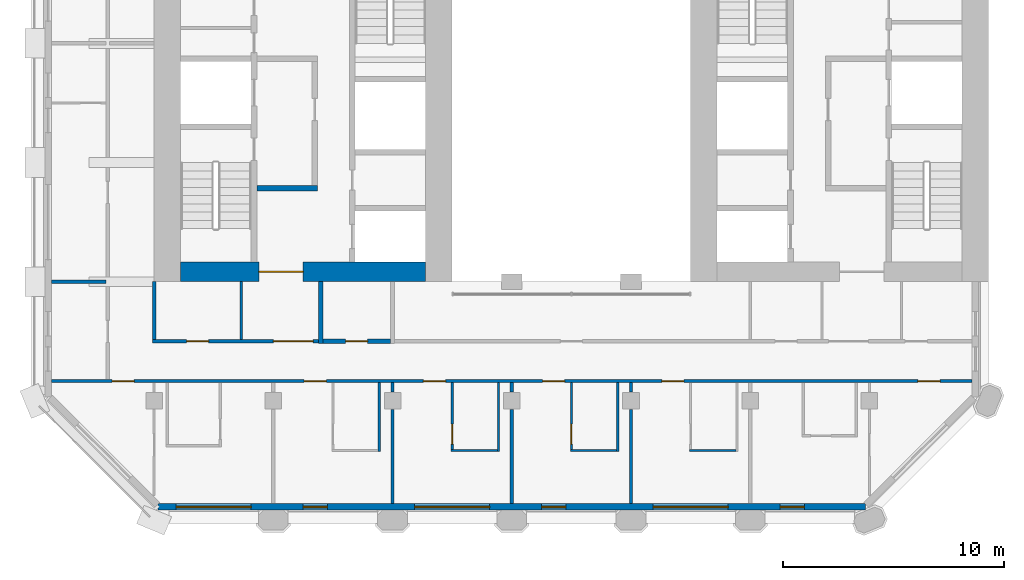
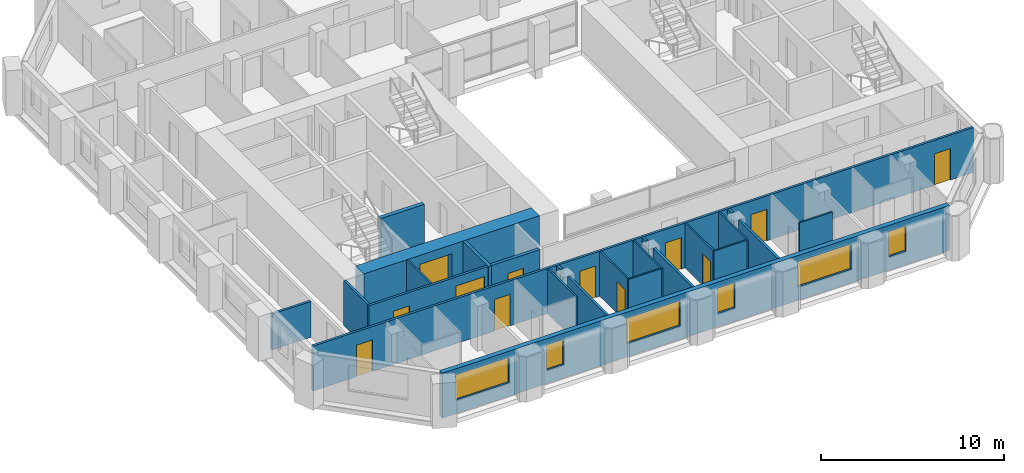
# One storey, part 6 of 14: 24 walls, 12 doors, 6 windows, 18 openings.
"""IFC4 building model written with IfcOpenShell, lengths in metres."""

from ifc_helpers import new_model, si_unit, direction, frame, frame_2d, origin, place, context, subcontext, project, spatial, rectangle, extrude, material, layer, layer_set, type_object, element, fill, save


model = new_model("IFC4")

# Units and contexts
model_context = context("Model", 3, precision=1e-05, world=origin(), true_north=direction((0.0, 1.0)))
body_context = subcontext(model_context, "Body", "Model", "MODEL_VIEW")
ifc_project = project(units=[si_unit("LENGTHUNIT", "METRE"), si_unit("AREAUNIT", "SQUARE_METRE"), si_unit("VOLUMEUNIT", "CUBIC_METRE"), si_unit("PLANEANGLEUNIT", "RADIAN"), si_unit("MASSUNIT", "GRAM", prefix="KILO")], contexts=[model_context])

# Site, building, storey
site_placement = place(None, origin())
site = spatial("IfcSite", under=ifc_project, at=site_placement, CompositionType="ELEMENT")
building_placement = place(site_placement, origin())
building = spatial("IfcBuilding", under=site, at=building_placement, Name="Tabaq Tower and Sports Hall", CompositionType="ELEMENT")
storey_placement = place(building_placement, frame((0.0, 0.0, 213.699951171875)))
storey = spatial("IfcBuildingStorey", under=building, at=storey_placement, Name="L53", CompositionType="ELEMENT", Elevation=213.699951171875)

# Wall, opening, door
ifc_material_1 = material(Name="Concrete C50/60", Category="concrete")
ifc_layer_1 = layer(ifc_material_1, 0.89990234375)
ifc_layer_set_1 = layer_set([ifc_layer_1], Name="Core wall 900 Concrete C50/60")
wall_type_1 = type_object("IfcWallType", Name="Core wall 900 Concrete C50/60", PredefinedType="SOLIDWALL", material=ifc_layer_set_1)
wall_1_placement = place(storey_placement, frame((17.699951171875, 16.64990234375, 0.0), z_axis=(0.0, 0.0, 1.0), x_axis=(-1.0, 0.0, 0.0)))
wall_1 = element("IfcWall", 1, at=wall_1_placement, inside=storey, type_object=wall_type_1, Name="Core wall W L53", PredefinedType="SOLIDWALL", context=body_context, shape_type="SweptSolid", body=[
    extrude(rectangle(XDim=11.099853515625, YDim=0.89990234375, at=frame_2d((5.5498046875, 0.0))), origin(), (0.0, 0.0, 1.0), 3.0),
])
opening_1_placement = place(wall_1_placement, frame((5.550048828125, 0.0, 0.0)))
opening_1 = element("IfcOpeningElement", 2, at=opening_1_placement, cuts=wall_1, Name="Opening PD-WL53-01", PredefinedType="OPENING", context=body_context, shape_type="SweptSolid", body=[
    extrude(rectangle(XDim=2.0, YDim=2.39990234375, at=frame_2d((1.0, 1.199951171875))), frame((0.0, 0.449951171875, 0.0), z_axis=(0.0, -1.0, 0.0), x_axis=(1.0, 0.0, 0.0)), (0.0, 0.0, 1.0), 0.89990234375),
])
ifc_material_2 = material(Name="Steel fire door", Category="steel")
door_type_1 = type_object("IfcDoorType", Name="Core entrance door 2000", OperationType="DOUBLE_DOOR_SINGLE_SWING", PredefinedType="DOOR", material=ifc_material_2)
door_1_placement = place(opening_1_placement, origin())
door_1 = element("IfcDoor", 3, at=door_1_placement, inside=storey, type_object=door_type_1, Name="Core entrance south W L53", OperationType="DOUBLE_DOOR_SINGLE_SWING", OverallHeight=2.39990234375, OverallWidth=2.0, PredefinedType="DOOR", context=body_context, shape_type="SweptSolid", body=[
    extrude(rectangle(XDim=2.0, YDim=2.39990234375, at=frame_2d((1.0, 1.199951171875))), frame((0.0, 0.02490234375, 0.0), z_axis=(0.0, -1.0, 0.0), x_axis=(1.0, 0.0, 0.0)), (0.0, 0.0, 1.0), 0.050048828125),
])
fill(opening_1, door_1)

# Wall
ifc_material_3 = material(Name="Blockwork", Category="masonry")
ifc_layer_2 = layer(ifc_material_3, 0.199951171875)
ifc_layer_set_2 = layer_set([ifc_layer_2], Name="Fire compartment wall 200 Blockwork")
wall_type_2 = type_object("IfcWallType", Name="Fire compartment wall 200 Blockwork", PredefinedType="PARTITIONING", material=ifc_layer_set_2)
wall_2_placement = place(storey_placement, frame((12.949951171875, 13.39990234375, 0.0), z_axis=(0.0, 0.0, 1.0), x_axis=(0.0, 1.0, 0.0)))
element("IfcWall", 4, at=wall_2_placement, inside=storey, type_object=wall_type_2, Name="Compartment wall L53", PredefinedType="PARTITIONING", context=body_context, shape_type="SweptSolid", body=[
    extrude(rectangle(XDim=2.800048828125, YDim=0.199951171875, at=frame_2d((1.39990234375, 0.0))), origin(), (0.0, 0.0, 1.0), 3.0),
])

# Wall, opening, door
wall_3_placement = place(storey_placement, frame((16.10009765625, 13.5, 0.0), z_axis=(0.0, 0.0, 1.0), x_axis=(-1.0, 0.0, 0.0)))
wall_3 = element("IfcWall", 5, at=wall_3_placement, inside=storey, type_object=wall_type_2, Name="Compartment wall L53", PredefinedType="PARTITIONING", context=body_context, shape_type="SweptSolid", body=[
    extrude(rectangle(XDim=3.050048828125, YDim=0.199951171875, at=frame_2d((1.52490234375, 0.0))), origin(), (0.0, 0.0, 1.0), 3.0),
])
opening_2_placement = place(wall_3_placement, frame((1.02490234375, 0.0, 0.0)))
opening_2 = element("IfcOpeningElement", 6, at=opening_2_placement, cuts=wall_3, Name="Opening L53-024", PredefinedType="OPENING", context=body_context, shape_type="SweptSolid", body=[
    extrude(rectangle(XDim=1.0, YDim=2.10009765625, at=frame_2d((0.5, 1.050048828125))), frame((0.0, 0.10009765625, 0.0), z_axis=(0.0, -1.0, 0.0), x_axis=(1.0, 0.0, 0.0)), (0.0, 0.0, 1.0), 0.199951171875),
])
ifc_material_4 = material(Name="Steel fire door", Category="steel")
door_type_2 = type_object("IfcDoorType", Name="Riser door 1000 right hand", OperationType="SINGLE_SWING_RIGHT", PredefinedType="DOOR", material=ifc_material_4)
door_2_placement = place(opening_2_placement, origin())
door_2 = element("IfcDoor", 7, at=door_2_placement, inside=storey, type_object=door_type_2, Name="Riser door L53-024", OperationType="SINGLE_SWING_RIGHT", OverallHeight=2.10009765625, OverallWidth=1.0, PredefinedType="DOOR", context=body_context, shape_type="SweptSolid", body=[
    extrude(rectangle(XDim=1.0, YDim=2.10009765625, at=frame_2d((0.5, 1.050048828125))), frame((0.0, 0.02490234375, 0.0), z_axis=(0.0, -1.0, 0.0), x_axis=(1.0, 0.0, 0.0)), (0.0, 0.0, 1.0), 0.050048828125),
])
fill(opening_2, door_2)

# Walls
ifc_material_5 = material(Name="Gypsum board on steel studs", Category="steel")
ifc_layer_3 = layer(ifc_material_5, 0.10009765625)
ifc_layer_set_3 = layer_set([ifc_layer_3], Name="Partition 100 Gypsum board")
wall_type_3 = type_object("IfcWallType", Name="Partition 100 Gypsum board", PredefinedType="PARTITIONING", material=ifc_layer_set_3)
wall_4_placement = place(storey_placement, frame((31.75, 8.550048828125, 0.0), z_axis=(0.0, 0.0, 1.0), x_axis=(-1.0, 0.0, 0.0)))
element("IfcWall", 8, at=wall_4_placement, inside=storey, type_object=wall_type_3, Name="Partition wall L53", PredefinedType="PARTITIONING", context=body_context, shape_type="SweptSolid", body=[
    extrude(rectangle(XDim=2.10009765625, YDim=0.10009765625, at=frame_2d((1.050048828125, 0.0))), origin(), (0.0, 0.0, 1.0), 3.0),
])
wall_5_placement = place(storey_placement, frame((26.39990234375, 11.625, 0.0), z_axis=(0.0, 0.0, 1.0), x_axis=(0.0, -1.0, 0.0)))
element("IfcWall", 9, at=wall_5_placement, inside=storey, type_object=wall_type_3, Name="Partition wall L53", PredefinedType="PARTITIONING", context=body_context, shape_type="SweptSolid", body=[
    extrude(rectangle(XDim=3.125, YDim=0.10009765625, at=frame_2d((1.5625, 0.0))), origin(), (0.0, 0.0, 1.0), 3.0),
])
wall_6_placement = place(storey_placement, frame((26.35009765625, 8.550048828125, 0.0), z_axis=(0.0, 0.0, 1.0), x_axis=(-1.0, 0.0, 0.0)))
element("IfcWall", 10, at=wall_6_placement, inside=storey, type_object=wall_type_3, Name="Partition wall L53", PredefinedType="PARTITIONING", context=body_context, shape_type="SweptSolid", body=[
    extrude(rectangle(XDim=2.10009765625, YDim=0.10009765625, at=frame_2d((1.050048828125, 0.0))), origin(), (0.0, 0.0, 1.0), 3.0),
])

# Wall, opening, door
wall_7_placement = place(storey_placement, frame((24.300048828125, 8.60009765625, 0.0), z_axis=(0.0, 0.0, 1.0), x_axis=(0.0, 1.0, 0.0)))
wall_7 = element("IfcWall", 11, at=wall_7_placement, inside=storey, type_object=wall_type_3, Name="Partition wall L53", PredefinedType="PARTITIONING", context=body_context, shape_type="SweptSolid", body=[
    extrude(rectangle(XDim=3.02490234375, YDim=0.10009765625, at=frame_2d((1.512451171875, 0.0))), origin(), (0.0, 0.0, 1.0), 3.0),
])
opening_3_placement = place(wall_7_placement, frame((0.25, 0.0, 0.0)))
opening_3 = element("IfcOpeningElement", 12, at=opening_3_placement, cuts=wall_7, Name="Opening L53-017", PredefinedType="OPENING", context=body_context, shape_type="SweptSolid", body=[
    extrude(rectangle(XDim=0.89990234375, YDim=2.10009765625, at=frame_2d((0.449951171875, 1.050048828125))), frame((0.0, 0.050048828125, 0.0), z_axis=(0.0, -1.0, 0.0), x_axis=(1.0, 0.0, 0.0)), (0.0, 0.0, 1.0), 0.10009765625),
])
ifc_material_6 = material(Name="Timber leaf in steel frame", Category="steel")
door_type_3 = type_object("IfcDoorType", Name="Internal door 900 left hand", OperationType="SINGLE_SWING_LEFT", PredefinedType="DOOR", material=ifc_material_6)
door_3_placement = place(opening_3_placement, origin())
door_3 = element("IfcDoor", 13, at=door_3_placement, inside=storey, type_object=door_type_3, Name="Internal door L53-017", OperationType="SINGLE_SWING_LEFT", OverallHeight=2.10009765625, OverallWidth=0.89990234375, PredefinedType="DOOR", context=body_context, shape_type="SweptSolid", body=[
    extrude(rectangle(XDim=0.89990234375, YDim=2.10009765625, at=frame_2d((0.449951171875, 1.050048828125))), frame((0.0, 0.02490234375, 0.0), z_axis=(0.0, -1.0, 0.0), x_axis=(1.0, 0.0, 0.0)), (0.0, 0.0, 1.0), 0.050048828125),
])
fill(opening_3, door_3)

# Walls
wall_8_placement = place(storey_placement, frame((21.0, 11.625, 0.0), z_axis=(0.0, 0.0, 1.0), x_axis=(0.0, -1.0, 0.0)))
element("IfcWall", 14, at=wall_8_placement, inside=storey, type_object=wall_type_3, Name="Partition wall L53", PredefinedType="PARTITIONING", context=body_context, shape_type="SweptSolid", body=[
    extrude(rectangle(XDim=3.125, YDim=0.10009765625, at=frame_2d((1.5625, 0.0))), origin(), (0.0, 0.0, 1.0), 3.0),
])
wall_9_placement = place(storey_placement, frame((20.949951171875, 8.550048828125, 0.0), z_axis=(0.0, 0.0, 1.0), x_axis=(-1.0, 0.0, 0.0)))
element("IfcWall", 15, at=wall_9_placement, inside=storey, type_object=wall_type_3, Name="Partition wall L53", PredefinedType="PARTITIONING", context=body_context, shape_type="SweptSolid", body=[
    extrude(rectangle(XDim=2.099853515625, YDim=0.10009765625, at=frame_2d((1.0498046875, 0.0))), origin(), (0.0, 0.0, 1.0), 3.0),
])

# Wall, opening, door
wall_10_placement = place(storey_placement, frame((18.89990234375, 8.60009765625, 0.0), z_axis=(0.0, 0.0, 1.0), x_axis=(0.0, 1.0, 0.0)))
wall_10 = element("IfcWall", 16, at=wall_10_placement, inside=storey, type_object=wall_type_3, Name="Partition wall L53", PredefinedType="PARTITIONING", context=body_context, shape_type="SweptSolid", body=[
    extrude(rectangle(XDim=3.02490234375, YDim=0.10009765625, at=frame_2d((1.512451171875, 0.0))), origin(), (0.0, 0.0, 1.0), 3.0),
])
opening_4_placement = place(wall_10_placement, frame((0.25, 0.0, 0.0)))
opening_4 = element("IfcOpeningElement", 17, at=opening_4_placement, cuts=wall_10, Name="Opening L53-018", PredefinedType="OPENING", context=body_context, shape_type="SweptSolid", body=[
    extrude(rectangle(XDim=0.89990234375, YDim=2.10009765625, at=frame_2d((0.449951171875, 1.050048828125))), frame((0.0, 0.050048828125, 0.0), z_axis=(0.0, -1.0, 0.0), x_axis=(1.0, 0.0, 0.0)), (0.0, 0.0, 1.0), 0.10009765625),
])
door_4_placement = place(opening_4_placement, origin())
door_4 = element("IfcDoor", 18, at=door_4_placement, inside=storey, type_object=door_type_3, Name="Internal door L53-018", OperationType="SINGLE_SWING_LEFT", OverallHeight=2.10009765625, OverallWidth=0.89990234375, PredefinedType="DOOR", context=body_context, shape_type="SweptSolid", body=[
    extrude(rectangle(XDim=0.89990234375, YDim=2.10009765625, at=frame_2d((0.449951171875, 1.050048828125))), frame((0.0, 0.02490234375, 0.0), z_axis=(0.0, -1.0, 0.0), x_axis=(1.0, 0.0, 0.0)), (0.0, 0.0, 1.0), 0.050048828125),
])
fill(opening_4, door_4)

# Walls
wall_11_placement = place(storey_placement, frame((15.60009765625, 11.625, 0.0), z_axis=(0.0, 0.0, 1.0), x_axis=(0.0, -1.0, 0.0)))
element("IfcWall", 19, at=wall_11_placement, inside=storey, type_object=wall_type_3, Name="Partition wall L53", PredefinedType="PARTITIONING", context=body_context, shape_type="SweptSolid", body=[
    extrude(rectangle(XDim=3.125, YDim=0.10009765625, at=frame_2d((1.5625, 0.0))), origin(), (0.0, 0.0, 1.0), 3.0),
])
wall_12_placement = place(storey_placement, frame((9.35009765625, 16.199951171875, 0.0), z_axis=(0.0, 0.0, 1.0), x_axis=(0.0, -1.0, 0.0)))
element("IfcWall", 20, at=wall_12_placement, inside=storey, type_object=wall_type_3, Name="Partition wall L53", PredefinedType="PARTITIONING", context=body_context, shape_type="SweptSolid", body=[
    extrude(rectangle(XDim=2.625, YDim=0.10009765625, at=frame_2d((1.3125, 0.0))), origin(), (0.0, 0.0, 1.0), 3.0),
])
ifc_material_7 = material(Name="Blockwork", Category="masonry")
ifc_layer_4 = layer(ifc_material_7, 0.14990234375)
ifc_layer_set_4 = layer_set([ifc_layer_4], Name="Separating wall 150 Blockwork")
wall_type_4 = type_object("IfcWallType", Name="Separating wall 150 Blockwork", PredefinedType="PARTITIONING", material=ifc_layer_set_4)
wall_13_placement = place(storey_placement, frame((3.22509765625, 16.199951171875, 0.0), z_axis=(0.0, 0.0, 1.0), x_axis=(-1.0, 0.0, 0.0)))
element("IfcWall", 21, at=wall_13_placement, inside=storey, type_object=wall_type_4, Name="Separating wall L53", PredefinedType="PARTITIONING", context=body_context, shape_type="SweptSolid", body=[
    extrude(rectangle(XDim=2.47412109375, YDim=0.14990234375, at=frame_2d((1.237060546875, 0.0))), origin(), (0.0, 0.0, 1.0), 2.400146484375),
])
wall_14_placement = place(storey_placement, frame((27.0, 11.625, 0.0), z_axis=(0.0, 0.0, 1.0), x_axis=(0.0, -1.0, 0.0)))
element("IfcWall", 22, at=wall_14_placement, inside=storey, type_object=wall_type_4, Name="Separating wall L53", PredefinedType="PARTITIONING", context=body_context, shape_type="SweptSolid", body=[
    extrude(rectangle(XDim=0.429931640625, YDim=0.14990234375, at=frame_2d((0.21484375, 0.0))), origin(), (0.0, 0.0, 1.0), 3.0),
])
wall_15_placement = place(storey_placement, frame((27.0, 10.405029296875, 0.0), z_axis=(0.0, 0.0, 1.0), x_axis=(0.0, -1.0, 0.0)))
element("IfcWall", 23, at=wall_15_placement, inside=storey, type_object=wall_type_4, Name="Separating wall L53", PredefinedType="PARTITIONING", context=body_context, shape_type="SweptSolid", body=[
    extrude(rectangle(XDim=4.254150390625, YDim=0.14990234375, at=frame_2d((2.126953125, 0.0))), origin(), (0.0, 0.0, 1.0), 3.0),
])
wall_16_placement = place(storey_placement, frame((21.60009765625, 11.625, 0.0), z_axis=(0.0, 0.0, 1.0), x_axis=(0.0, -1.0, 0.0)))
element("IfcWall", 24, at=wall_16_placement, inside=storey, type_object=wall_type_4, Name="Separating wall L53", PredefinedType="PARTITIONING", context=body_context, shape_type="SweptSolid", body=[
    extrude(rectangle(XDim=0.429931640625, YDim=0.14990234375, at=frame_2d((0.21484375, 0.0))), origin(), (0.0, 0.0, 1.0), 3.0),
])
wall_17_placement = place(storey_placement, frame((21.60009765625, 10.405029296875, 0.0), z_axis=(0.0, 0.0, 1.0), x_axis=(0.0, -1.0, 0.0)))
element("IfcWall", 25, at=wall_17_placement, inside=storey, type_object=wall_type_4, Name="Separating wall L53", PredefinedType="PARTITIONING", context=body_context, shape_type="SweptSolid", body=[
    extrude(rectangle(XDim=4.254150390625, YDim=0.14990234375, at=frame_2d((2.126953125, 0.0))), origin(), (0.0, 0.0, 1.0), 3.0),
])
wall_18_placement = place(storey_placement, frame((16.199951171875, 11.625, 0.0), z_axis=(0.0, 0.0, 1.0), x_axis=(0.0, -1.0, 0.0)))
element("IfcWall", 26, at=wall_18_placement, inside=storey, type_object=wall_type_4, Name="Separating wall L53", PredefinedType="PARTITIONING", context=body_context, shape_type="SweptSolid", body=[
    extrude(rectangle(XDim=0.429931640625, YDim=0.14990234375, at=frame_2d((0.21484375, 0.0))), origin(), (0.0, 0.0, 1.0), 3.0),
])
wall_19_placement = place(storey_placement, frame((16.199951171875, 10.405029296875, 0.0), z_axis=(0.0, 0.0, 1.0), x_axis=(0.0, -1.0, 0.0)))
element("IfcWall", 27, at=wall_19_placement, inside=storey, type_object=wall_type_4, Name="Separating wall L53", PredefinedType="PARTITIONING", context=body_context, shape_type="SweptSolid", body=[
    extrude(rectangle(XDim=4.254150390625, YDim=0.14990234375, at=frame_2d((2.126953125, 0.0))), origin(), (0.0, 0.0, 1.0), 3.0),
])

# Wall, openings, doors
wall_20_placement = place(storey_placement, frame((0.7509765625, 11.699951171875, 0.0), z_axis=(0.0, 0.0, 1.0), x_axis=(1.0, 0.0, 0.0)))
wall_20 = element("IfcWall", 28, at=wall_20_placement, inside=storey, type_object=wall_type_4, Name="Separating wall L53", PredefinedType="PARTITIONING", context=body_context, shape_type="SweptSolid", body=[
    extrude(rectangle(XDim=41.697998046875, YDim=0.14990234375, at=frame_2d((20.84912109375, 0.0))), origin(), (0.0, 0.0, 1.0), 3.0),
])
opening_5_placement = place(wall_20_placement, frame((39.2490234375, 0.0, 0.0)))
opening_5 = element("IfcOpeningElement", 29, at=opening_5_placement, cuts=wall_20, Name="Opening L53-039", PredefinedType="OPENING", context=body_context, shape_type="SweptSolid", body=[
    extrude(rectangle(XDim=1.0, YDim=2.10009765625, at=frame_2d((0.5, 1.050048828125))), frame((0.0, 0.074951171875, 0.0), z_axis=(0.0, -1.0, 0.0), x_axis=(1.0, 0.0, 0.0)), (0.0, 0.0, 1.0), 0.14990234375),
])
opening_6_placement = place(wall_20_placement, frame((27.64892578125, 0.0, 0.0)))
opening_6 = element("IfcOpeningElement", 30, at=opening_6_placement, cuts=wall_20, Name="Opening L53-040", PredefinedType="OPENING", context=body_context, shape_type="SweptSolid", body=[
    extrude(rectangle(XDim=1.0, YDim=2.10009765625, at=frame_2d((0.5, 1.050048828125))), frame((0.0, 0.074951171875, 0.0), z_axis=(0.0, -1.0, 0.0), x_axis=(1.0, 0.0, 0.0)), (0.0, 0.0, 1.0), 0.14990234375),
])
opening_7_placement = place(wall_20_placement, frame((22.2490234375, 0.0, 0.0)))
opening_7 = element("IfcOpeningElement", 31, at=opening_7_placement, cuts=wall_20, Name="Opening L53-041", PredefinedType="OPENING", context=body_context, shape_type="SweptSolid", body=[
    extrude(rectangle(XDim=1.0, YDim=2.10009765625, at=frame_2d((0.5, 1.050048828125))), frame((0.0, 0.074951171875, 0.0), z_axis=(0.0, -1.0, 0.0), x_axis=(1.0, 0.0, 0.0)), (0.0, 0.0, 1.0), 0.14990234375),
])
opening_8_placement = place(wall_20_placement, frame((16.84912109375, 0.0, 0.0)))
opening_8 = element("IfcOpeningElement", 32, at=opening_8_placement, cuts=wall_20, Name="Opening L53-042", PredefinedType="OPENING", context=body_context, shape_type="SweptSolid", body=[
    extrude(rectangle(XDim=1.0, YDim=2.10009765625, at=frame_2d((0.5, 1.050048828125))), frame((0.0, 0.074951171875, 0.0), z_axis=(0.0, -1.0, 0.0), x_axis=(1.0, 0.0, 0.0)), (0.0, 0.0, 1.0), 0.14990234375),
])
opening_9_placement = place(wall_20_placement, frame((11.448974609375, 0.0, 0.0)))
opening_9 = element("IfcOpeningElement", 33, at=opening_9_placement, cuts=wall_20, Name="Opening L53-043", PredefinedType="OPENING", context=body_context, shape_type="SweptSolid", body=[
    extrude(rectangle(XDim=1.0, YDim=2.10009765625, at=frame_2d((0.5, 1.050048828125))), frame((0.0, 0.074951171875, 0.0), z_axis=(0.0, -1.0, 0.0), x_axis=(1.0, 0.0, 0.0)), (0.0, 0.0, 1.0), 0.14990234375),
])
opening_10_placement = place(wall_20_placement, frame((2.743896484375, 0.0, 0.0)))
opening_10 = element("IfcOpeningElement", 34, at=opening_10_placement, cuts=wall_20, Name="Opening L53-045", PredefinedType="OPENING", context=body_context, shape_type="SweptSolid", body=[
    extrude(rectangle(XDim=1.0, YDim=2.10009765625, at=frame_2d((0.5, 1.050048828125))), frame((0.0, 0.074951171875, 0.0), z_axis=(0.0, -1.0, 0.0), x_axis=(1.0, 0.0, 0.0)), (0.0, 0.0, 1.0), 0.14990234375),
])
ifc_material_8 = material(Name="Steel fire door", Category="steel")
door_type_4 = type_object("IfcDoorType", Name="Entrance door 1000 left hand", OperationType="SINGLE_SWING_LEFT", PredefinedType="DOOR", material=ifc_material_8)
door_5_placement = place(opening_5_placement, origin())
door_5 = element("IfcDoor", 35, at=door_5_placement, inside=storey, type_object=door_type_4, Name="Entrance door L53-039", OperationType="SINGLE_SWING_LEFT", OverallHeight=2.10009765625, OverallWidth=1.0, PredefinedType="DOOR", context=body_context, shape_type="SweptSolid", body=[
    extrude(rectangle(XDim=1.0, YDim=2.10009765625, at=frame_2d((0.5, 1.050048828125))), frame((0.0, 0.02490234375, 0.0), z_axis=(0.0, -1.0, 0.0), x_axis=(1.0, 0.0, 0.0)), (0.0, 0.0, 1.0), 0.050048828125),
])
fill(opening_5, door_5)
door_6_placement = place(opening_6_placement, origin())
door_6 = element("IfcDoor", 36, at=door_6_placement, inside=storey, type_object=door_type_4, Name="Entrance door L53-040", OperationType="SINGLE_SWING_LEFT", OverallHeight=2.10009765625, OverallWidth=1.0, PredefinedType="DOOR", context=body_context, shape_type="SweptSolid", body=[
    extrude(rectangle(XDim=1.0, YDim=2.10009765625, at=frame_2d((0.5, 1.050048828125))), frame((0.0, 0.02490234375, 0.0), z_axis=(0.0, -1.0, 0.0), x_axis=(1.0, 0.0, 0.0)), (0.0, 0.0, 1.0), 0.050048828125),
])
fill(opening_6, door_6)
door_7_placement = place(opening_7_placement, origin())
door_7 = element("IfcDoor", 37, at=door_7_placement, inside=storey, type_object=door_type_4, Name="Entrance door L53-041", OperationType="SINGLE_SWING_LEFT", OverallHeight=2.10009765625, OverallWidth=1.0, PredefinedType="DOOR", context=body_context, shape_type="SweptSolid", body=[
    extrude(rectangle(XDim=1.0, YDim=2.10009765625, at=frame_2d((0.5, 1.050048828125))), frame((0.0, 0.02490234375, 0.0), z_axis=(0.0, -1.0, 0.0), x_axis=(1.0, 0.0, 0.0)), (0.0, 0.0, 1.0), 0.050048828125),
])
fill(opening_7, door_7)
ifc_material_9 = material(Name="Steel fire door", Category="steel")
door_type_5 = type_object("IfcDoorType", Name="Entrance door 1000 right hand", OperationType="SINGLE_SWING_RIGHT", PredefinedType="DOOR", material=ifc_material_9)
door_8_placement = place(opening_8_placement, origin())
door_8 = element("IfcDoor", 38, at=door_8_placement, inside=storey, type_object=door_type_5, Name="Entrance door L53-042", OperationType="SINGLE_SWING_RIGHT", OverallHeight=2.10009765625, OverallWidth=1.0, PredefinedType="DOOR", context=body_context, shape_type="SweptSolid", body=[
    extrude(rectangle(XDim=1.0, YDim=2.10009765625, at=frame_2d((0.5, 1.050048828125))), frame((0.0, 0.02490234375, 0.0), z_axis=(0.0, -1.0, 0.0), x_axis=(1.0, 0.0, 0.0)), (0.0, 0.0, 1.0), 0.050048828125),
])
fill(opening_8, door_8)
door_9_placement = place(opening_9_placement, origin())
door_9 = element("IfcDoor", 39, at=door_9_placement, inside=storey, type_object=door_type_5, Name="Entrance door L53-043", OperationType="SINGLE_SWING_RIGHT", OverallHeight=2.10009765625, OverallWidth=1.0, PredefinedType="DOOR", context=body_context, shape_type="SweptSolid", body=[
    extrude(rectangle(XDim=1.0, YDim=2.10009765625, at=frame_2d((0.5, 1.050048828125))), frame((0.0, 0.02490234375, 0.0), z_axis=(0.0, -1.0, 0.0), x_axis=(1.0, 0.0, 0.0)), (0.0, 0.0, 1.0), 0.050048828125),
])
fill(opening_9, door_9)
door_10_placement = place(opening_10_placement, origin())
door_10 = element("IfcDoor", 40, at=door_10_placement, inside=storey, type_object=door_type_5, Name="Entrance door L53-045", OperationType="SINGLE_SWING_RIGHT", OverallHeight=2.10009765625, OverallWidth=1.0, PredefinedType="DOOR", context=body_context, shape_type="SweptSolid", body=[
    extrude(rectangle(XDim=1.0, YDim=2.10009765625, at=frame_2d((0.5, 1.050048828125))), frame((0.0, 0.02490234375, 0.0), z_axis=(0.0, -1.0, 0.0), x_axis=(1.0, 0.0, 0.0)), (0.0, 0.0, 1.0), 0.050048828125),
])
fill(opening_10, door_10)

wall_21_placement = place(storey_placement, frame((5.324951171875, 13.5, 0.0), z_axis=(0.0, 0.0, 1.0), x_axis=(1.0, 0.0, 0.0)))
wall_21 = element("IfcWall", 41, at=wall_21_placement, inside=storey, type_object=wall_type_4, Name="Separating wall L53", PredefinedType="PARTITIONING", context=body_context, shape_type="SweptSolid", body=[
    extrude(rectangle(XDim=7.525146484375, YDim=0.14990234375, at=frame_2d((3.7626953125, 0.0))), origin(), (0.0, 0.0, 1.0), 3.0),
])
opening_11_placement = place(wall_21_placement, frame((1.550048828125, 0.0, 0.0)))
opening_11 = element("IfcOpeningElement", 42, at=opening_11_placement, cuts=wall_21, Name="Opening L53-025", PredefinedType="OPENING", context=body_context, shape_type="SweptSolid", body=[
    extrude(rectangle(XDim=1.0, YDim=2.10009765625, at=frame_2d((0.5, 1.050048828125))), frame((0.0, 0.074951171875, 0.0), z_axis=(0.0, -1.0, 0.0), x_axis=(1.0, 0.0, 0.0)), (0.0, 0.0, 1.0), 0.14990234375),
])
opening_12_placement = place(wall_21_placement, frame((5.47509765625, 0.0, 0.0)))
opening_12 = element("IfcOpeningElement", 43, at=opening_12_placement, cuts=wall_21, Name="Opening L53-048", PredefinedType="OPENING", context=body_context, shape_type="SweptSolid", body=[
    extrude(rectangle(XDim=1.800048828125, YDim=2.39990234375, at=frame_2d((0.89990234375, 1.199951171875))), frame((0.0, 0.074951171875, 0.0), z_axis=(0.0, -1.0, 0.0), x_axis=(1.0, 0.0, 0.0)), (0.0, 0.0, 1.0), 0.14990234375),
])
ifc_material_10 = material(Name="Timber leaf in steel frame", Category="steel")
door_type_6 = type_object("IfcDoorType", Name="Internal door 1000 left hand", OperationType="SINGLE_SWING_LEFT", PredefinedType="DOOR", material=ifc_material_10)
door_11_placement = place(opening_11_placement, origin())
door_11 = element("IfcDoor", 44, at=door_11_placement, inside=storey, type_object=door_type_6, Name="Internal door L53-025", OperationType="SINGLE_SWING_LEFT", OverallHeight=2.10009765625, OverallWidth=1.0, PredefinedType="DOOR", context=body_context, shape_type="SweptSolid", body=[
    extrude(rectangle(XDim=1.0, YDim=2.10009765625, at=frame_2d((0.5, 1.050048828125))), frame((0.0, 0.02490234375, 0.0), z_axis=(0.0, -1.0, 0.0), x_axis=(1.0, 0.0, 0.0)), (0.0, 0.0, 1.0), 0.050048828125),
])
fill(opening_11, door_11)
ifc_material_11 = material(Name="Timber leaf in steel frame", Category="steel")
door_type_7 = type_object("IfcDoorType", Name="Internal door 1800", OperationType="DOUBLE_DOOR_SINGLE_SWING", PredefinedType="DOOR", material=ifc_material_11)
door_12_placement = place(opening_12_placement, origin())
door_12 = element("IfcDoor", 45, at=door_12_placement, inside=storey, type_object=door_type_7, Name="Internal door L53-048", OperationType="DOUBLE_DOOR_SINGLE_SWING", OverallHeight=2.39990234375, OverallWidth=1.800048828125, PredefinedType="DOOR", context=body_context, shape_type="SweptSolid", body=[
    extrude(rectangle(XDim=1.800048828125, YDim=2.39990234375, at=frame_2d((0.89990234375, 1.199951171875))), frame((0.0, 0.02490234375, 0.0), z_axis=(0.0, -1.0, 0.0), x_axis=(1.0, 0.0, 0.0)), (0.0, 0.0, 1.0), 0.050048828125),
])
fill(opening_12, door_12)

# Walls
wall_22_placement = place(storey_placement, frame((5.39990234375, 13.574951171875, 0.0), z_axis=(0.0, 0.0, 1.0), x_axis=(0.0, 1.0, 0.0)))
element("IfcWall", 46, at=wall_22_placement, inside=storey, type_object=wall_type_4, Name="Separating wall L53", PredefinedType="PARTITIONING", context=body_context, shape_type="SweptSolid", body=[
    extrude(rectangle(XDim=2.625, YDim=0.14990234375, at=frame_2d((1.3125, 0.0))), origin(), (0.0, 0.0, 1.0), 3.0),
])
ifc_material_12 = material(Name="Concrete C40/50", Category="concrete")
ifc_layer_5 = layer(ifc_material_12, 0.25)
ifc_layer_set_5 = layer_set([ifc_layer_5], Name="Shaft and stair wall 250 Concrete C40/50")
wall_type_5 = type_object("IfcWallType", Name="Shaft and stair wall 250 Concrete C40/50", PredefinedType="SOLIDWALL", material=ifc_layer_set_5)
wall_23_placement = place(storey_placement, frame((10.050048828125, 20.425048828125, 0.0), z_axis=(0.0, 0.0, 1.0), x_axis=(1.0, 0.0, 0.0)))
element("IfcWall", 47, at=wall_23_placement, inside=storey, type_object=wall_type_5, Name="Fire-fighting lobby wall W L53", PredefinedType="SOLIDWALL", context=body_context, shape_type="SweptSolid", body=[
    extrude(rectangle(XDim=2.75, YDim=0.25, at=frame_2d((1.375, 0.0))), origin(), (0.0, 0.0, 1.0), 3.0),
])

# Wall, openings, windows
ifc_material_13 = material(Name="White precast concrete C60/75", Category="concrete")
ifc_layer_6 = layer(ifc_material_13, 0.300048828125)
ifc_layer_set_6 = layer_set([ifc_layer_6], Name="White precast concrete C60/75 external wall 300")
wall_type_6 = type_object("IfcWallType", Name="White precast concrete C60/75 external wall 300", PredefinedType="SOLIDWALL", material=ifc_layer_set_6)
wall_24_placement = place(storey_placement, frame((5.58642578125, 6.0, 0.0), z_axis=(0.0, 0.0, 1.0), x_axis=(1.0, 0.0, 0.0)))
wall_24 = element("IfcWall", 48, at=wall_24_placement, inside=storey, type_object=wall_type_6, Name="External Wall L53 S", PredefinedType="SOLIDWALL", context=body_context, shape_type="SweptSolid", body=[
    extrude(rectangle(XDim=32.027099609375, YDim=0.300048828125, at=frame_2d((16.013671875, 0.0))), origin(), (0.0, 0.0, 1.0), 3.0),
])
opening_13_placement = place(wall_24_placement, frame((0.813720703125, 0.0, 0.89990234375)))
opening_13 = element("IfcOpeningElement", 49, at=opening_13_placement, cuts=wall_24, Name="Opening W1A", PredefinedType="OPENING", context=body_context, shape_type="SweptSolid", body=[
    extrude(rectangle(XDim=3.39990234375, YDim=1.699951171875, at=frame_2d((1.699951171875, 0.85009765625))), frame((0.0, 0.16015625, 0.0), z_axis=(0.0, -1.0, 0.0), x_axis=(1.0, 0.0, 0.0)), (0.0, 0.0, 1.0), 0.320068359375),
])
opening_14_placement = place(wall_24_placement, frame((6.563720703125, 0.0, 0.89990234375)))
opening_14 = element("IfcOpeningElement", 50, at=opening_14_placement, cuts=wall_24, Name="Opening W1B", PredefinedType="OPENING", context=body_context, shape_type="SweptSolid", body=[
    extrude(rectangle(XDim=1.10009765625, YDim=1.699951171875, at=frame_2d((0.550048828125, 0.85009765625))), frame((0.0, 0.16015625, 0.0), z_axis=(0.0, -1.0, 0.0), x_axis=(1.0, 0.0, 0.0)), (0.0, 0.0, 1.0), 0.320068359375),
])
opening_15_placement = place(wall_24_placement, frame((11.613525390625, 0.0, 0.89990234375)))
opening_15 = element("IfcOpeningElement", 51, at=opening_15_placement, cuts=wall_24, Name="Opening W1A", PredefinedType="OPENING", context=body_context, shape_type="SweptSolid", body=[
    extrude(rectangle(XDim=3.39990234375, YDim=1.699951171875, at=frame_2d((1.699951171875, 0.85009765625))), frame((0.0, 0.16015625, 0.0), z_axis=(0.0, -1.0, 0.0), x_axis=(1.0, 0.0, 0.0)), (0.0, 0.0, 1.0), 0.320068359375),
])
opening_16_placement = place(wall_24_placement, frame((17.363525390625, 0.0, 0.89990234375)))
opening_16 = element("IfcOpeningElement", 52, at=opening_16_placement, cuts=wall_24, Name="Opening W1B", PredefinedType="OPENING", context=body_context, shape_type="SweptSolid", body=[
    extrude(rectangle(XDim=1.10009765625, YDim=1.699951171875, at=frame_2d((0.550048828125, 0.85009765625))), frame((0.0, 0.16015625, 0.0), z_axis=(0.0, -1.0, 0.0), x_axis=(1.0, 0.0, 0.0)), (0.0, 0.0, 1.0), 0.320068359375),
])
opening_17_placement = place(wall_24_placement, frame((22.41357421875, 0.0, 0.89990234375)))
opening_17 = element("IfcOpeningElement", 53, at=opening_17_placement, cuts=wall_24, Name="Opening W1A", PredefinedType="OPENING", context=body_context, shape_type="SweptSolid", body=[
    extrude(rectangle(XDim=3.39990234375, YDim=1.699951171875, at=frame_2d((1.699951171875, 0.85009765625))), frame((0.0, 0.16015625, 0.0), z_axis=(0.0, -1.0, 0.0), x_axis=(1.0, 0.0, 0.0)), (0.0, 0.0, 1.0), 0.320068359375),
])
opening_18_placement = place(wall_24_placement, frame((28.16357421875, 0.0, 0.89990234375)))
opening_18 = element("IfcOpeningElement", 54, at=opening_18_placement, cuts=wall_24, Name="Opening W1B", PredefinedType="OPENING", context=body_context, shape_type="SweptSolid", body=[
    extrude(rectangle(XDim=1.10009765625, YDim=1.699951171875, at=frame_2d((0.550048828125, 0.85009765625))), frame((0.0, 0.16015625, 0.0), z_axis=(0.0, -1.0, 0.0), x_axis=(1.0, 0.0, 0.0)), (0.0, 0.0, 1.0), 0.320068359375),
])
ifc_material_14 = material(Name="Aluminium framed clear glazing", Category="aluminium")
window_type_1 = type_object("IfcWindowType", Name="Window W1A", PartitioningType="SINGLE_PANEL", PredefinedType="WINDOW", material=ifc_material_14)
window_1_placement = place(opening_13_placement, origin())
window_1 = element("IfcWindow", 55, at=window_1_placement, inside=storey, type_object=window_type_1, Name="Window W1A L53", OverallHeight=1.699951171875, OverallWidth=3.39990234375, PartitioningType="SINGLE_PANEL", PredefinedType="WINDOW", context=body_context, shape_type="SweptSolid", body=[
    extrude(rectangle(XDim=3.39990234375, YDim=1.699951171875, at=frame_2d((1.699951171875, 0.85009765625))), frame((0.0, 0.030029296875, 0.0), z_axis=(0.0, -1.0, 0.0), x_axis=(1.0, 0.0, 0.0)), (0.0, 0.0, 1.0), 0.06005859375),
])
fill(opening_13, window_1)
window_2_placement = place(opening_15_placement, origin())
window_2 = element("IfcWindow", 56, at=window_2_placement, inside=storey, type_object=window_type_1, Name="Window W1A L53", OverallHeight=1.699951171875, OverallWidth=3.39990234375, PartitioningType="SINGLE_PANEL", PredefinedType="WINDOW", context=body_context, shape_type="SweptSolid", body=[
    extrude(rectangle(XDim=3.39990234375, YDim=1.699951171875, at=frame_2d((1.699951171875, 0.85009765625))), frame((0.0, 0.030029296875, 0.0), z_axis=(0.0, -1.0, 0.0), x_axis=(1.0, 0.0, 0.0)), (0.0, 0.0, 1.0), 0.06005859375),
])
fill(opening_15, window_2)
window_3_placement = place(opening_17_placement, origin())
window_3 = element("IfcWindow", 57, at=window_3_placement, inside=storey, type_object=window_type_1, Name="Window W1A L53", OverallHeight=1.699951171875, OverallWidth=3.39990234375, PartitioningType="SINGLE_PANEL", PredefinedType="WINDOW", context=body_context, shape_type="SweptSolid", body=[
    extrude(rectangle(XDim=3.39990234375, YDim=1.699951171875, at=frame_2d((1.699951171875, 0.85009765625))), frame((0.0, 0.030029296875, 0.0), z_axis=(0.0, -1.0, 0.0), x_axis=(1.0, 0.0, 0.0)), (0.0, 0.0, 1.0), 0.06005859375),
])
fill(opening_17, window_3)
ifc_material_15 = material(Name="Aluminium framed clear glazing", Category="aluminium")
window_type_2 = type_object("IfcWindowType", Name="Window W1B", PartitioningType="SINGLE_PANEL", PredefinedType="WINDOW", material=ifc_material_15)
window_4_placement = place(opening_14_placement, origin())
window_4 = element("IfcWindow", 58, at=window_4_placement, inside=storey, type_object=window_type_2, Name="Window W1B L53", OverallHeight=1.699951171875, OverallWidth=1.10009765625, PartitioningType="SINGLE_PANEL", PredefinedType="WINDOW", context=body_context, shape_type="SweptSolid", body=[
    extrude(rectangle(XDim=1.10009765625, YDim=1.699951171875, at=frame_2d((0.550048828125, 0.85009765625))), frame((0.0, 0.030029296875, 0.0), z_axis=(0.0, -1.0, 0.0), x_axis=(1.0, 0.0, 0.0)), (0.0, 0.0, 1.0), 0.06005859375),
])
fill(opening_14, window_4)
window_5_placement = place(opening_16_placement, origin())
window_5 = element("IfcWindow", 59, at=window_5_placement, inside=storey, type_object=window_type_2, Name="Window W1B L53", OverallHeight=1.699951171875, OverallWidth=1.10009765625, PartitioningType="SINGLE_PANEL", PredefinedType="WINDOW", context=body_context, shape_type="SweptSolid", body=[
    extrude(rectangle(XDim=1.10009765625, YDim=1.699951171875, at=frame_2d((0.550048828125, 0.85009765625))), frame((0.0, 0.030029296875, 0.0), z_axis=(0.0, -1.0, 0.0), x_axis=(1.0, 0.0, 0.0)), (0.0, 0.0, 1.0), 0.06005859375),
])
fill(opening_16, window_5)
window_6_placement = place(opening_18_placement, origin())
window_6 = element("IfcWindow", 60, at=window_6_placement, inside=storey, type_object=window_type_2, Name="Window W1B L53", OverallHeight=1.699951171875, OverallWidth=1.10009765625, PartitioningType="SINGLE_PANEL", PredefinedType="WINDOW", context=body_context, shape_type="SweptSolid", body=[
    extrude(rectangle(XDim=1.10009765625, YDim=1.699951171875, at=frame_2d((0.550048828125, 0.85009765625))), frame((0.0, 0.030029296875, 0.0), z_axis=(0.0, -1.0, 0.0), x_axis=(1.0, 0.0, 0.0)), (0.0, 0.0, 1.0), 0.06005859375),
])
fill(opening_18, window_6)

save(model, "model.ifc")
